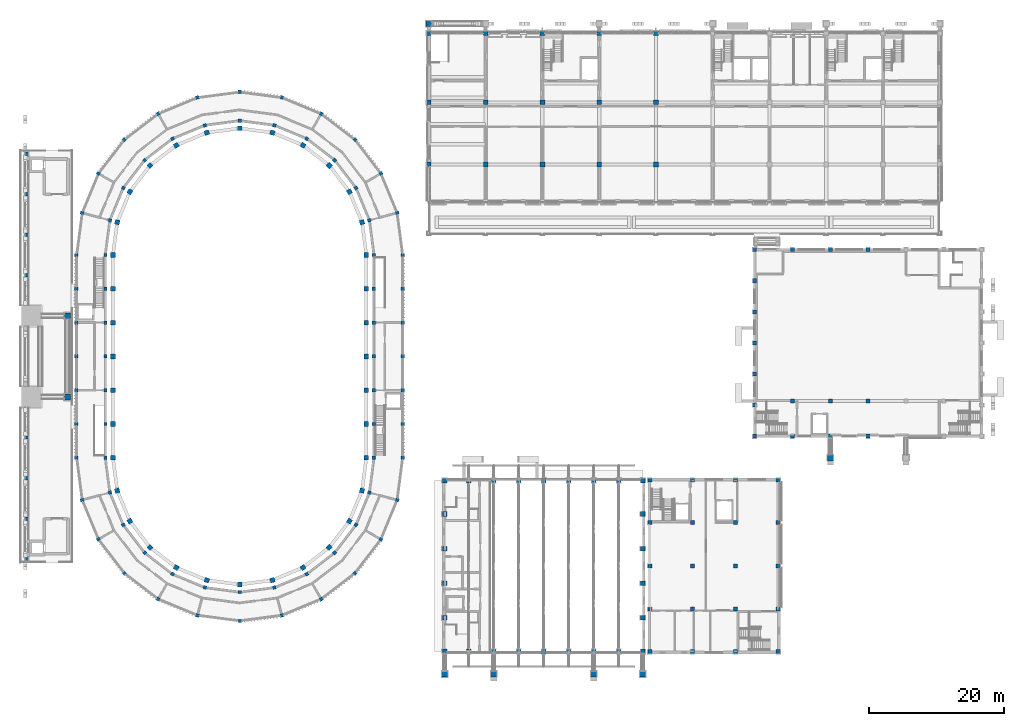
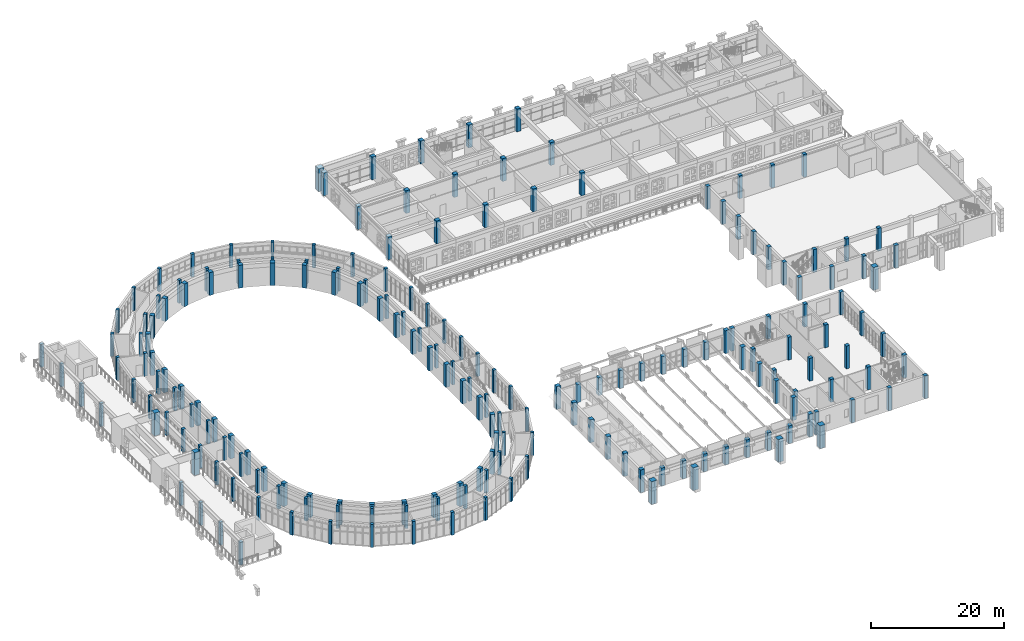
# One storey, part 1 of 99: 201 columns.
"""IFC4 building model written with IfcOpenShell, lengths in metres."""

from ifc_helpers import new_model, si_unit, direction, frame, origin, origin_2d, place, context, subcontext, project, spatial, rectangle, extrude, material, material_profile, profile_set, type_object, element, save


model = new_model("IFC4")

# Units and contexts
model_context = context("Model", 3, precision=1e-05, world=origin(), true_north=direction((0.0, 1.0)))
body_context = subcontext(model_context, "Body", "Model", "MODEL_VIEW")
ifc_project = project(units=[si_unit("LENGTHUNIT", "METRE"), si_unit("AREAUNIT", "SQUARE_METRE"), si_unit("VOLUMEUNIT", "CUBIC_METRE"), si_unit("PLANEANGLEUNIT", "RADIAN"), si_unit("MASSUNIT", "GRAM", prefix="KILO")], contexts=[model_context])

# Site, building, storey
site_placement = place(None, origin())
site = spatial("IfcSite", under=ifc_project, at=site_placement, CompositionType="ELEMENT")
building_placement = place(site_placement, origin())
building = spatial("IfcBuilding", under=site, at=building_placement, Name="Wasatch Bagh Community Centre", CompositionType="ELEMENT")
storey_placement = place(building_placement, frame((0.0, 0.0, 4.199951171875)))
storey = spatial("IfcBuildingStorey", under=building, at=storey_placement, Name="L01", CompositionType="ELEMENT", Elevation=4.199951171875)

# Columns
ifc_material = material(Name="Concrete C40", Category="concrete")
ifc_material_profile_1 = material_profile(ifc_material, rectangle(XDim=0.89990234375, YDim=0.89990234375, at=origin_2d()), Name="RC 900x900")
ifc_profile_set_1 = profile_set([ifc_material_profile_1], Name="Concrete C40")
column_type_1 = type_object("IfcColumnType", Name="CL-P1", PredefinedType="COLUMN", material=ifc_profile_set_1)
for number, where, z_axis, x_axis, name in (
    (1, (123.39990234375, 35.0, 0.0), (0.0, 0.0, 1.0), (1.0, 0.0, 0.0), "CL-P1 pier SHP1"),
    (2, (66.35009765625, 3.0, 0.0), (0.0, 0.0, 1.0), (1.0, 0.0, 0.0), "CL-P1 pier DHP1"),
    (3, (73.60009765625, 3.0, 0.0), (0.0, 0.0, 1.0), (1.0, 0.0, 0.0), "CL-P1 pier DHP2"),
    (4, (88.39990234375, 3.0, 0.0), (0.0, 0.0, 1.0), (1.0, 0.0, 0.0), "CL-P1 pier DHP3"),
    (5, (95.64990234375, 3.0, 0.0), (0.0, 0.0, 1.0), (1.0, 0.0, 0.0), "CL-P1 pier DHP4"),
    (6, (64.0, 99.25, 0.0), (0.0, 0.0, 1.0), (1.0, 0.0, 0.0), "CL-P1 pier LWP01"),
):
    element("IfcColumn", number, at=place(storey_placement, frame(where, z_axis=z_axis, x_axis=x_axis)), inside=storey, type_object=column_type_1, Name=name, PredefinedType="COLUMN", context=body_context, shape_type="SweptSolid", body=[
        extrude(rectangle(XDim=0.89990234375, YDim=0.89990234375, at=origin_2d()), origin(), (0.0, 0.0, 1.0), 4.199951171875),
    ])
ifc_material_profile_2 = material_profile(ifc_material, rectangle(XDim=0.89990234375, YDim=0.89990234375, at=origin_2d()), Name="RC 900x900")
ifc_profile_set_2 = profile_set([ifc_material_profile_2], Name="Concrete C40")
column_type_2 = type_object("IfcColumnType", Name="CP-C1", PredefinedType="COLUMN", material=ifc_profile_set_2)
for number, where, z_axis, x_axis, name in (
    (7, (10.5, 44.0, 0.0), (0.0, 0.0, 1.0), (1.0, 0.0, 0.0), "CP-C1 rear post 1"),
    (8, (10.5, 56.0, 0.0), (0.0, 0.0, 1.0), (1.0, 0.0, 0.0), "CP-C1 rear post 2"),
):
    element("IfcColumn", number, at=place(storey_placement, frame(where, z_axis=z_axis, x_axis=x_axis)), inside=storey, type_object=column_type_2, Name=name, PredefinedType="COLUMN", context=body_context, shape_type="SweptSolid", body=[
        extrude(rectangle(XDim=0.89990234375, YDim=0.89990234375, at=origin_2d()), origin(), (0.0, 0.0, 1.0), 4.199951171875),
    ])
ifc_material_profile_3 = material_profile(ifc_material, rectangle(XDim=0.5, YDim=0.5, at=origin_2d()), Name="RC 500x500")
ifc_profile_set_3 = profile_set([ifc_material_profile_3], Name="Concrete C40")
column_type_3 = type_object("IfcColumnType", Name="CT-C1", PredefinedType="COLUMN", material=ifc_profile_set_3)
for number, where, z_axis, x_axis, name in (
    (9, (4.5, 20.0, 0.0), (0.0, 0.0, 1.0), (1.0, 0.0, 0.0), "CT-C1 terrace column 1"),
    (10, (4.5, 26.0, 0.0), (0.0, 0.0, 1.0), (1.0, 0.0, 0.0), "CT-C1 terrace column 2"),
    (11, (4.5, 32.0, 0.0), (0.0, 0.0, 1.0), (1.0, 0.0, 0.0), "CT-C1 terrace column 3"),
    (12, (4.5, 38.0, 0.0), (0.0, 0.0, 1.0), (1.0, 0.0, 0.0), "CT-C1 terrace column 4"),
    (13, (4.5, 62.0, 0.0), (0.0, 0.0, 1.0), (1.0, 0.0, 0.0), "CT-C1 terrace column 5"),
    (14, (4.5, 68.0, 0.0), (0.0, 0.0, 1.0), (1.0, 0.0, 0.0), "CT-C1 terrace column 6"),
    (15, (4.5, 74.0, 0.0), (0.0, 0.0, 1.0), (1.0, 0.0, 0.0), "CT-C1 terrace column 7"),
    (16, (4.5, 80.0, 0.0), (0.0, 0.0, 1.0), (1.0, 0.0, 0.0), "CT-C1 terrace column 8"),
):
    element("IfcColumn", number, at=place(storey_placement, frame(where, z_axis=z_axis, x_axis=x_axis)), inside=storey, type_object=column_type_3, Name=name, PredefinedType="COLUMN", context=body_context, shape_type="SweptSolid", body=[
        extrude(rectangle(XDim=0.5, YDim=0.5, at=origin_2d()), origin(), (0.0, 0.0, 1.0), 4.199951171875),
    ])
ifc_material_profile_4 = material_profile(ifc_material, rectangle(XDim=0.699951171875, YDim=0.699951171875, at=origin_2d()), Name="RC 700x700")
ifc_profile_set_4 = profile_set([ifc_material_profile_4], Name="Concrete C40")
column_type_4 = type_object("IfcColumnType", Name="DH RC 700x700 column", PredefinedType="COLUMN", material=ifc_profile_set_4)
column_placement = place(storey_placement, frame((66.35009765625, 6.35009765625, 0.0), z_axis=(0.0, 0.0, 1.0), x_axis=(1.0, 0.0, 0.0)))
element("IfcColumn", 17, at=column_placement, inside=storey, type_object=column_type_4, Name="DH.col.L01.01", PredefinedType="COLUMN", context=body_context, shape_type="SweptSolid", body=[
    extrude(rectangle(XDim=0.699951171875, YDim=0.699951171875, at=origin_2d()), origin(), (0.0, 0.0, 1.0), 4.199951171875),
])
for number, where, z_axis, x_axis, name in (
    (18, (69.89990234375, 6.35009765625, 0.0), (0.0, 0.0, 1.0), (1.0, 0.0, 0.0), "DH.col.L01.02"),
    (19, (73.60009765625, 6.35009765625, 0.0), (0.0, 0.0, 1.0), (1.0, 0.0, 0.0), "DH.col.L01.03"),
    (20, (77.300048828125, 6.35009765625, 0.0), (0.0, 0.0, 1.0), (1.0, 0.0, 0.0), "DH.col.L01.04"),
    (21, (81.0, 6.35009765625, 0.0), (0.0, 0.0, 1.0), (1.0, 0.0, 0.0), "DH.col.L01.05"),
    (22, (84.699951171875, 6.35009765625, 0.0), (0.0, 0.0, 1.0), (1.0, 0.0, 0.0), "DH.col.L01.06"),
    (23, (88.39990234375, 6.35009765625, 0.0), (0.0, 0.0, 1.0), (1.0, 0.0, 0.0), "DH.col.L01.07"),
    (24, (92.10009765625, 6.35009765625, 0.0), (0.0, 0.0, 1.0), (1.0, 0.0, 0.0), "DH.col.L01.08"),
):
    element("IfcColumn", number, at=place(storey_placement, frame(where, z_axis=z_axis, x_axis=x_axis)), inside=storey, type_object=column_type_4, Name=name, PredefinedType="COLUMN", context=body_context, shape_type="SweptSolid", body=[
        extrude(rectangle(XDim=0.699951171875, YDim=0.699951171875, at=origin_2d()), origin(), (0.0, 0.0, 1.0), 3.300048828125),
    ])
for number, where, z_axis, x_axis, name in (
    (25, (95.64990234375, 6.35009765625, 0.0), (0.0, 0.0, 1.0), (1.0, 0.0, 0.0), "DH.col.L01.09"),
    (26, (66.35009765625, 31.64990234375, 0.0), (0.0, 0.0, 1.0), (1.0, 0.0, 0.0), "DH.col.L01.10"),
):
    element("IfcColumn", number, at=place(storey_placement, frame(where, z_axis=z_axis, x_axis=x_axis)), inside=storey, type_object=column_type_4, Name=name, PredefinedType="COLUMN", context=body_context, shape_type="SweptSolid", body=[
        extrude(rectangle(XDim=0.699951171875, YDim=0.699951171875, at=origin_2d()), origin(), (0.0, 0.0, 1.0), 4.199951171875),
    ])
for number, where, z_axis, x_axis, name in (
    (27, (69.89990234375, 31.64990234375, 0.0), (0.0, 0.0, 1.0), (1.0, 0.0, 0.0), "DH.col.L01.11"),
    (28, (73.60009765625, 31.64990234375, 0.0), (0.0, 0.0, 1.0), (1.0, 0.0, 0.0), "DH.col.L01.12"),
    (29, (77.300048828125, 31.64990234375, 0.0), (0.0, 0.0, 1.0), (1.0, 0.0, 0.0), "DH.col.L01.13"),
    (30, (81.0, 31.64990234375, 0.0), (0.0, 0.0, 1.0), (1.0, 0.0, 0.0), "DH.col.L01.14"),
    (31, (84.699951171875, 31.64990234375, 0.0), (0.0, 0.0, 1.0), (1.0, 0.0, 0.0), "DH.col.L01.15"),
    (32, (88.39990234375, 31.64990234375, 0.0), (0.0, 0.0, 1.0), (1.0, 0.0, 0.0), "DH.col.L01.16"),
    (33, (92.10009765625, 31.64990234375, 0.0), (0.0, 0.0, 1.0), (1.0, 0.0, 0.0), "DH.col.L01.17"),
):
    element("IfcColumn", number, at=place(storey_placement, frame(where, z_axis=z_axis, x_axis=x_axis)), inside=storey, type_object=column_type_4, Name=name, PredefinedType="COLUMN", context=body_context, shape_type="SweptSolid", body=[
        extrude(rectangle(XDim=0.699951171875, YDim=0.699951171875, at=origin_2d()), origin(), (0.0, 0.0, 1.0), 3.300048828125),
    ])
for number, where, z_axis, x_axis, name in (
    (34, (95.64990234375, 31.64990234375, 0.0), (0.0, 0.0, 1.0), (1.0, 0.0, 0.0), "DH.col.L01.18"),
    (35, (66.35009765625, 11.320068359375, 0.0), (0.0, 0.0, 1.0), (1.0, 0.0, 0.0), "DH.col.L01.19"),
    (36, (66.35009765625, 16.43994140625, 0.0), (0.0, 0.0, 1.0), (1.0, 0.0, 0.0), "DH.col.L01.20"),
    (37, (66.35009765625, 21.56005859375, 0.0), (0.0, 0.0, 1.0), (1.0, 0.0, 0.0), "DH.col.L01.21"),
    (38, (66.35009765625, 26.679931640625, 0.0), (0.0, 0.0, 1.0), (1.0, 0.0, 0.0), "DH.col.L01.22"),
    (39, (95.64990234375, 11.320068359375, 0.0), (0.0, 0.0, 1.0), (1.0, 0.0, 0.0), "DH.col.L01.23"),
    (40, (95.64990234375, 16.43994140625, 0.0), (0.0, 0.0, 1.0), (1.0, 0.0, 0.0), "DH.col.L01.24"),
    (41, (95.64990234375, 21.56005859375, 0.0), (0.0, 0.0, 1.0), (1.0, 0.0, 0.0), "DH.col.L01.25"),
    (42, (95.64990234375, 26.679931640625, 0.0), (0.0, 0.0, 1.0), (1.0, 0.0, 0.0), "DH.col.L01.26"),
):
    element("IfcColumn", number, at=place(storey_placement, frame(where, z_axis=z_axis, x_axis=x_axis)), inside=storey, type_object=column_type_4, Name=name, PredefinedType="COLUMN", context=body_context, shape_type="SweptSolid", body=[
        extrude(rectangle(XDim=0.699951171875, YDim=0.699951171875, at=origin_2d()), origin(), (0.0, 0.0, 1.0), 4.199951171875),
    ])
ifc_material_profile_5 = material_profile(ifc_material, rectangle(XDim=0.5, YDim=0.5, at=origin_2d()), Name="RC 500x500")
ifc_profile_set_5 = profile_set([ifc_material_profile_5], Name="Concrete C40")
column_type_5 = type_object("IfcColumnType", Name="Drum column RC 500x500", PredefinedType="COLUMN", material=ifc_profile_set_5)
for number, where, z_axis, x_axis, name in (
    (43, (16.14990234375, 35.0, 0.0), (0.0, 0.0, 1.0), (1.0, 0.0, 0.0), "Column DI-W1"),
    (44, (16.826416015625, 29.862548828125, 0.0), (0.0, 0.0, 1.0), (0.965925826289, 0.258819045103, 0.0), "Column DI-S1"),
    (45, (18.809326171875, 25.074951171875, 0.0), (0.0, 0.0, 1.0), (0.866025403784, 0.5, 0.0), "Column DI-S2"),
    (46, (21.9638671875, 20.9638671875, 0.0), (0.0, 0.0, 1.0), (0.707106781187, 0.707106781187, 0.0), "Column DI-S3"),
    (47, (26.074951171875, 17.809326171875, 0.0), (0.0, 0.0, 1.0), (0.5, 0.866025403784, 0.0), "Column DI-S4"),
    (48, (30.862548828125, 15.826416015625, 0.0), (0.0, 0.0, 1.0), (0.258819045103, 0.965925826289, 0.0), "Column DI-S5"),
    (49, (36.0, 15.14990234375, 0.0), (0.0, 0.0, 1.0), (1.0, 0.0, 0.0), "Column DI-S6"),
    (50, (41.137451171875, 15.826416015625, 0.0), (0.0, 0.0, 1.0), (0.965925826289, 0.258819045103, 0.0), "Column DI-S7"),
    (51, (45.925048828125, 17.809326171875, 0.0), (0.0, 0.0, 1.0), (0.866025403784, 0.5, 0.0), "Column DI-S8"),
    (52, (50.0361328125, 20.9638671875, 0.0), (0.0, 0.0, 1.0), (0.707106781187, 0.707106781187, 0.0), "Column DI-S9"),
    (53, (53.190673828125, 25.074951171875, 0.0), (0.0, 0.0, 1.0), (0.5, 0.866025403784, 0.0), "Column DI-S10"),
    (54, (55.173583984375, 29.862548828125, 0.0), (0.0, 0.0, 1.0), (0.258819045103, 0.965925826289, 0.0), "Column DI-S11"),
    (55, (55.85009765625, 35.0, 0.0), (0.0, 0.0, 1.0), (1.0, 0.0, 0.0), "Column DI-E1"),
    (56, (55.85009765625, 40.0, 0.0), (0.0, 0.0, 1.0), (1.0, 0.0, 0.0), "Column DI-E2"),
    (57, (55.85009765625, 45.0, 0.0), (0.0, 0.0, 1.0), (1.0, 0.0, 0.0), "Column DI-E3"),
    (58, (55.85009765625, 50.0, 0.0), (0.0, 0.0, 1.0), (1.0, 0.0, 0.0), "Column DI-E4"),
    (59, (55.85009765625, 55.0, 0.0), (0.0, 0.0, 1.0), (1.0, 0.0, 0.0), "Column DI-E5"),
    (60, (55.85009765625, 60.0, 0.0), (0.0, 0.0, 1.0), (1.0, 0.0, 0.0), "Column DI-E6"),
    (61, (55.85009765625, 65.0, 0.0), (0.0, 0.0, 1.0), (1.0, 0.0, 0.0), "Column DI-E7"),
    (62, (55.173583984375, 70.137451171875, 0.0), (0.0, 0.0, 1.0), (0.965925826289, 0.258819045103, 0.0), "Column DI-N1"),
    (63, (53.190673828125, 74.925048828125, 0.0), (0.0, 0.0, 1.0), (0.866025403784, 0.5, 0.0), "Column DI-N2"),
    (64, (50.0361328125, 79.0361328125, 0.0), (0.0, 0.0, 1.0), (0.707106781187, 0.707106781187, 0.0), "Column DI-N3"),
    (65, (45.925048828125, 82.190673828125, 0.0), (0.0, 0.0, 1.0), (0.5, 0.866025403784, 0.0), "Column DI-N4"),
    (66, (41.137451171875, 84.173583984375, 0.0), (0.0, 0.0, 1.0), (0.258819045103, 0.965925826289, 0.0), "Column DI-N5"),
    (67, (36.0, 84.85009765625, 0.0), (0.0, 0.0, 1.0), (1.0, 0.0, 0.0), "Column DI-N6"),
    (68, (30.862548828125, 84.173583984375, 0.0), (0.0, 0.0, 1.0), (0.965925826289, 0.258819045103, 0.0), "Column DI-N7"),
    (69, (26.074951171875, 82.190673828125, 0.0), (0.0, 0.0, 1.0), (0.866025403784, 0.5, 0.0), "Column DI-N8"),
    (70, (21.9638671875, 79.0361328125, 0.0), (0.0, 0.0, 1.0), (0.707106781187, 0.707106781187, 0.0), "Column DI-N9"),
    (71, (18.809326171875, 74.925048828125, 0.0), (0.0, 0.0, 1.0), (0.5, 0.866025403784, 0.0), "Column DI-N10"),
    (72, (16.826416015625, 70.137451171875, 0.0), (0.0, 0.0, 1.0), (0.258819045103, 0.965925826289, 0.0), "Column DI-N11"),
    (73, (16.14990234375, 65.0, 0.0), (0.0, 0.0, 1.0), (1.0, 0.0, 0.0), "Column DI-W7"),
    (74, (16.14990234375, 60.0, 0.0), (0.0, 0.0, 1.0), (1.0, 0.0, 0.0), "Column DI-W6"),
    (75, (16.14990234375, 55.0, 0.0), (0.0, 0.0, 1.0), (1.0, 0.0, 0.0), "Column DI-W5"),
    (76, (16.14990234375, 50.0, 0.0), (0.0, 0.0, 1.0), (1.0, 0.0, 0.0), "Column DI-W4"),
    (77, (16.14990234375, 45.0, 0.0), (0.0, 0.0, 1.0), (1.0, 0.0, 0.0), "Column DI-W3"),
    (78, (16.14990234375, 40.0, 0.0), (0.0, 0.0, 1.0), (1.0, 0.0, 0.0), "Column DI-W2"),
    (79, (11.85009765625, 35.0, 0.0), (0.0, 0.0, 1.0), (1.0, 0.0, 0.0), "Column DO-W1"),
    (80, (12.6728515625, 28.74951171875, 0.0), (0.0, 0.0, 1.0), (0.965925826289, 0.258819045103, 0.0), "Column DO-S1"),
    (81, (15.08544921875, 22.925048828125, 0.0), (0.0, 0.0, 1.0), (0.866025403784, 0.5, 0.0), "Column DO-S2"),
    (82, (18.92333984375, 17.92333984375, 0.0), (0.0, 0.0, 1.0), (0.707106781187, 0.707106781187, 0.0), "Column DO-S3"),
    (83, (23.925048828125, 14.08544921875, 0.0), (0.0, 0.0, 1.0), (0.5, 0.866025403784, 0.0), "Column DO-S4"),
    (84, (29.74951171875, 11.6728515625, 0.0), (0.0, 0.0, 1.0), (0.258819045103, 0.965925826289, 0.0), "Column DO-S5"),
    (85, (36.0, 10.85009765625, 0.0), (0.0, 0.0, 1.0), (1.0, 0.0, 0.0), "Column DO-S6"),
    (86, (42.25048828125, 11.6728515625, 0.0), (0.0, 0.0, 1.0), (0.965925826289, 0.258819045103, 0.0), "Column DO-S7"),
    (87, (48.074951171875, 14.08544921875, 0.0), (0.0, 0.0, 1.0), (0.866025403784, 0.5, 0.0), "Column DO-S8"),
    (88, (53.07666015625, 17.92333984375, 0.0), (0.0, 0.0, 1.0), (0.707106781187, 0.707106781187, 0.0), "Column DO-S9"),
    (89, (56.91455078125, 22.925048828125, 0.0), (0.0, 0.0, 1.0), (0.5, 0.866025403784, 0.0), "Column DO-S10"),
    (90, (59.3271484375, 28.74951171875, 0.0), (0.0, 0.0, 1.0), (0.258819045103, 0.965925826289, 0.0), "Column DO-S11"),
    (91, (60.14990234375, 35.0, 0.0), (0.0, 0.0, 1.0), (1.0, 0.0, 0.0), "Column DO-E1"),
    (92, (60.14990234375, 40.0, 0.0), (0.0, 0.0, 1.0), (1.0, 0.0, 0.0), "Column DO-E2"),
    (93, (60.14990234375, 45.0, 0.0), (0.0, 0.0, 1.0), (1.0, 0.0, 0.0), "Column DO-E3"),
    (94, (60.14990234375, 50.0, 0.0), (0.0, 0.0, 1.0), (1.0, 0.0, 0.0), "Column DO-E4"),
    (95, (60.14990234375, 55.0, 0.0), (0.0, 0.0, 1.0), (1.0, 0.0, 0.0), "Column DO-E5"),
    (96, (60.14990234375, 60.0, 0.0), (0.0, 0.0, 1.0), (1.0, 0.0, 0.0), "Column DO-E6"),
    (97, (60.14990234375, 65.0, 0.0), (0.0, 0.0, 1.0), (1.0, 0.0, 0.0), "Column DO-E7"),
    (98, (59.3271484375, 71.25048828125, 0.0), (0.0, 0.0, 1.0), (0.965925826289, 0.258819045103, 0.0), "Column DO-N1"),
    (99, (56.91455078125, 77.074951171875, 0.0), (0.0, 0.0, 1.0), (0.866025403784, 0.5, 0.0), "Column DO-N2"),
    (100, (53.07666015625, 82.07666015625, 0.0), (0.0, 0.0, 1.0), (0.707106781187, 0.707106781187, 0.0), "Column DO-N3"),
    (101, (48.074951171875, 85.91455078125, 0.0), (0.0, 0.0, 1.0), (0.5, 0.866025403784, 0.0), "Column DO-N4"),
    (102, (42.25048828125, 88.3271484375, 0.0), (0.0, 0.0, 1.0), (0.258819045103, 0.965925826289, 0.0), "Column DO-N5"),
    (103, (36.0, 89.14990234375, 0.0), (0.0, 0.0, 1.0), (1.0, 0.0, 0.0), "Column DO-N6"),
    (104, (29.74951171875, 88.3271484375, 0.0), (0.0, 0.0, 1.0), (0.965925826289, 0.258819045103, 0.0), "Column DO-N7"),
    (105, (23.925048828125, 85.91455078125, 0.0), (0.0, 0.0, 1.0), (0.866025403784, 0.5, 0.0), "Column DO-N8"),
    (106, (18.92333984375, 82.07666015625, 0.0), (0.0, 0.0, 1.0), (0.707106781187, 0.707106781187, 0.0), "Column DO-N9"),
    (107, (15.08544921875, 77.074951171875, 0.0), (0.0, 0.0, 1.0), (0.5, 0.866025403784, 0.0), "Column DO-N10"),
    (108, (12.6728515625, 71.25048828125, 0.0), (0.0, 0.0, 1.0), (0.258819045103, 0.965925826289, 0.0), "Column DO-N11"),
    (109, (11.85009765625, 65.0, 0.0), (0.0, 0.0, 1.0), (1.0, 0.0, 0.0), "Column DO-W7"),
    (110, (11.85009765625, 60.0, 0.0), (0.0, 0.0, 1.0), (1.0, 0.0, 0.0), "Column DO-W6"),
    (111, (11.85009765625, 55.0, 0.0), (0.0, 0.0, 1.0), (1.0, 0.0, 0.0), "Column DO-W5"),
    (112, (11.85009765625, 50.0, 0.0), (0.0, 0.0, 1.0), (1.0, 0.0, 0.0), "Column DO-W4"),
    (113, (11.85009765625, 45.0, 0.0), (0.0, 0.0, 1.0), (1.0, 0.0, 0.0), "Column DO-W3"),
    (114, (11.85009765625, 40.0, 0.0), (0.0, 0.0, 1.0), (1.0, 0.0, 0.0), "Column DO-W2"),
):
    element("IfcColumn", number, at=place(storey_placement, frame(where, z_axis=z_axis, x_axis=x_axis)), inside=storey, type_object=column_type_5, Name=name, PredefinedType="COLUMN", context=body_context, shape_type="SweptSolid", body=[
        extrude(rectangle(XDim=0.5, YDim=0.5, at=origin_2d()), origin(), (0.0, 0.0, 1.0), 4.199951171875),
    ])
ifc_material_profile_6 = material_profile(ifc_material, rectangle(XDim=0.60009765625, YDim=0.60009765625, at=origin_2d()), Name="RC 600x600")
ifc_profile_set_6 = profile_set([ifc_material_profile_6], Name="Concrete C40")
column_type_6 = type_object("IfcColumnType", Name="KW RC 600x600 column", PredefinedType="COLUMN", material=ifc_profile_set_6)
for number, where, z_axis, x_axis, name in (
    (115, (96.699951171875, 6.300048828125, 0.0), (0.0, 0.0, 1.0), (1.0, 0.0, 0.0), "KW.col.L01.01"),
    (116, (96.699951171875, 12.60009765625, 0.0), (0.0, 0.0, 1.0), (1.0, 0.0, 0.0), "KW.col.L01.02"),
    (117, (96.699951171875, 19.0, 0.0), (0.0, 0.0, 1.0), (1.0, 0.0, 0.0), "KW.col.L01.03"),
    (118, (96.699951171875, 25.39990234375, 0.0), (0.0, 0.0, 1.0), (1.0, 0.0, 0.0), "KW.col.L01.04"),
    (119, (96.699951171875, 31.699951171875, 0.0), (0.0, 0.0, 1.0), (1.0, 0.0, 0.0), "KW.col.L01.05"),
    (120, (103.0, 6.300048828125, 0.0), (0.0, 0.0, 1.0), (1.0, 0.0, 0.0), "KW.col.L01.06"),
    (121, (103.0, 12.60009765625, 0.0), (0.0, 0.0, 1.0), (1.0, 0.0, 0.0), "KW.col.L01.07"),
    (122, (103.0, 19.0, 0.0), (0.0, 0.0, 1.0), (1.0, 0.0, 0.0), "KW.col.L01.08"),
    (123, (103.0, 25.39990234375, 0.0), (0.0, 0.0, 1.0), (1.0, 0.0, 0.0), "KW.col.L01.09"),
    (124, (103.0, 31.699951171875, 0.0), (0.0, 0.0, 1.0), (1.0, 0.0, 0.0), "KW.col.L01.10"),
    (125, (109.39990234375, 6.300048828125, 0.0), (0.0, 0.0, 1.0), (1.0, 0.0, 0.0), "KW.col.L01.11"),
    (126, (109.39990234375, 12.60009765625, 0.0), (0.0, 0.0, 1.0), (1.0, 0.0, 0.0), "KW.col.L01.12"),
    (127, (109.39990234375, 19.0, 0.0), (0.0, 0.0, 1.0), (1.0, 0.0, 0.0), "KW.col.L01.13"),
    (128, (109.39990234375, 25.39990234375, 0.0), (0.0, 0.0, 1.0), (1.0, 0.0, 0.0), "KW.col.L01.14"),
    (129, (109.39990234375, 31.699951171875, 0.0), (0.0, 0.0, 1.0), (1.0, 0.0, 0.0), "KW.col.L01.15"),
    (130, (115.699951171875, 6.300048828125, 0.0), (0.0, 0.0, 1.0), (1.0, 0.0, 0.0), "KW.col.L01.16"),
    (131, (115.699951171875, 12.60009765625, 0.0), (0.0, 0.0, 1.0), (1.0, 0.0, 0.0), "KW.col.L01.17"),
    (132, (115.699951171875, 19.0, 0.0), (0.0, 0.0, 1.0), (1.0, 0.0, 0.0), "KW.col.L01.18"),
    (133, (115.699951171875, 25.39990234375, 0.0), (0.0, 0.0, 1.0), (1.0, 0.0, 0.0), "KW.col.L01.19"),
    (134, (115.699951171875, 31.699951171875, 0.0), (0.0, 0.0, 1.0), (1.0, 0.0, 0.0), "KW.col.L01.20"),
):
    element("IfcColumn", number, at=place(storey_placement, frame(where, z_axis=z_axis, x_axis=x_axis)), inside=storey, type_object=column_type_6, Name=name, PredefinedType="COLUMN", context=body_context, shape_type="SweptSolid", body=[
        extrude(rectangle(XDim=0.60009765625, YDim=0.60009765625, at=origin_2d()), origin(), (0.0, 0.0, 1.0), 4.199951171875),
    ])
ifc_material_profile_7 = material_profile(ifc_material, rectangle(XDim=0.699951171875, YDim=0.699951171875, at=origin_2d()), Name="RC 700x700")
ifc_profile_set_7 = profile_set([ifc_material_profile_7], Name="Concrete C40")
column_type_7 = type_object("IfcColumnType", Name="LW RC 700x700", PredefinedType="COLUMN", material=ifc_profile_set_7)
for number, where, z_axis, x_axis, name in (
    (135, (64.0, 87.60009765625, 0.0), (0.0, 0.0, 1.0), (1.0, 0.0, 0.0), "W1M"),
    (136, (72.39990234375, 87.60009765625, 0.0), (0.0, 0.0, 1.0), (1.0, 0.0, 0.0), "W2M"),
    (137, (80.800048828125, 87.60009765625, 0.0), (0.0, 0.0, 1.0), (1.0, 0.0, 0.0), "W3M"),
    (138, (89.199951171875, 87.60009765625, 0.0), (0.0, 0.0, 1.0), (1.0, 0.0, 0.0), "W4M"),
    (139, (97.60009765625, 87.60009765625, 0.0), (0.0, 0.0, 1.0), (1.0, 0.0, 0.0), "W5M"),
    (140, (64.0, 97.800048828125, 0.0), (0.0, 0.0, 1.0), (1.0, 0.0, 0.0), "W1N"),
    (141, (72.39990234375, 97.800048828125, 0.0), (0.0, 0.0, 1.0), (1.0, 0.0, 0.0), "W2N"),
    (142, (80.800048828125, 97.800048828125, 0.0), (0.0, 0.0, 1.0), (1.0, 0.0, 0.0), "W3N"),
    (143, (89.199951171875, 97.800048828125, 0.0), (0.0, 0.0, 1.0), (1.0, 0.0, 0.0), "W4N"),
    (144, (97.60009765625, 97.800048828125, 0.0), (0.0, 0.0, 1.0), (1.0, 0.0, 0.0), "W5N"),
    (145, (64.0, 78.39990234375, 0.0), (0.0, 0.0, 1.0), (1.0, 0.0, 0.0), "W1S"),
    (146, (72.39990234375, 78.39990234375, 0.0), (0.0, 0.0, 1.0), (1.0, 0.0, 0.0), "W2S"),
    (147, (80.800048828125, 78.39990234375, 0.0), (0.0, 0.0, 1.0), (1.0, 0.0, 0.0), "W3S"),
    (148, (89.199951171875, 78.39990234375, 0.0), (0.0, 0.0, 1.0), (1.0, 0.0, 0.0), "W4S"),
    (149, (97.60009765625, 78.39990234375, 0.0), (0.0, 0.0, 1.0), (1.0, 0.0, 0.0), "W5S"),
):
    element("IfcColumn", number, at=place(storey_placement, frame(where, z_axis=z_axis, x_axis=x_axis)), inside=storey, type_object=column_type_7, Name=name, PredefinedType="COLUMN", context=body_context, shape_type="SweptSolid", body=[
        extrude(rectangle(XDim=0.699951171875, YDim=0.699951171875, at=origin_2d()), origin(), (0.0, 0.0, 1.0), 4.199951171875),
    ])
ifc_material_profile_8 = material_profile(ifc_material, rectangle(XDim=0.699951171875, YDim=0.699951171875, at=origin_2d()), Name="RC 700x700")
ifc_profile_set_8 = profile_set([ifc_material_profile_8], Name="Concrete C40")
column_type_8 = type_object("IfcColumnType", Name="MH column RC 700x700", PredefinedType="COLUMN", material=ifc_profile_set_8)
for number, where, z_axis, x_axis, name in (
    (150, (17.25, 35.0, 0.0), (0.0, 0.0, 1.0), (1.0, 0.0, 0.0), "Column W1"),
    (151, (17.25, 40.0, 0.0), (0.0, 0.0, 1.0), (1.0, 0.0, 0.0), "Column W2"),
    (152, (17.25, 45.0, 0.0), (0.0, 0.0, 1.0), (1.0, 0.0, 0.0), "Column W3"),
    (153, (17.25, 50.0, 0.0), (0.0, 0.0, 1.0), (1.0, 0.0, 0.0), "Column W4"),
    (154, (17.25, 55.0, 0.0), (0.0, 0.0, 1.0), (1.0, 0.0, 0.0), "Column W5"),
    (155, (17.25, 60.0, 0.0), (0.0, 0.0, 1.0), (1.0, 0.0, 0.0), "Column W6"),
    (156, (17.25, 65.0, 0.0), (0.0, 0.0, 1.0), (1.0, 0.0, 0.0), "Column W7"),
    (157, (54.75, 35.0, 0.0), (0.0, 0.0, 1.0), (1.0, 0.0, 0.0), "Column E1"),
    (158, (54.75, 40.0, 0.0), (0.0, 0.0, 1.0), (1.0, 0.0, 0.0), "Column E2"),
    (159, (54.75, 45.0, 0.0), (0.0, 0.0, 1.0), (1.0, 0.0, 0.0), "Column E3"),
    (160, (54.75, 50.0, 0.0), (0.0, 0.0, 1.0), (1.0, 0.0, 0.0), "Column E4"),
    (161, (54.75, 55.0, 0.0), (0.0, 0.0, 1.0), (1.0, 0.0, 0.0), "Column E5"),
    (162, (54.75, 60.0, 0.0), (0.0, 0.0, 1.0), (1.0, 0.0, 0.0), "Column E6"),
    (163, (54.75, 65.0, 0.0), (0.0, 0.0, 1.0), (1.0, 0.0, 0.0), "Column E7"),
    (164, (17.888916015625, 30.147216796875, 0.0), (0.0, 0.0, 1.0), (0.965925826289, 0.258819045103, 0.0), "Column S1"),
    (165, (19.761962890625, 25.625, 0.0), (0.0, 0.0, 1.0), (0.866025403784, 0.5, 0.0), "Column S2"),
    (166, (22.74169921875, 21.74169921875, 0.0), (0.0, 0.0, 1.0), (0.707106781187, 0.707106781187, 0.0), "Column S3"),
    (167, (26.625, 18.761962890625, 0.0), (0.0, 0.0, 1.0), (0.5, 0.866025403784, 0.0), "Column S4"),
    (168, (31.147216796875, 16.888916015625, 0.0), (0.0, 0.0, 1.0), (0.258819045103, 0.965925826289, 0.0), "Column S5"),
    (169, (36.0, 16.25, 0.0), (0.0, 0.0, 1.0), (1.0, 0.0, 0.0), "Column S6"),
    (170, (40.852783203125, 16.888916015625, 0.0), (0.0, 0.0, 1.0), (0.965925826289, 0.258819045103, 0.0), "Column S7"),
    (171, (45.375, 18.761962890625, 0.0), (0.0, 0.0, 1.0), (0.866025403784, 0.5, 0.0), "Column S8"),
    (172, (49.25830078125, 21.74169921875, 0.0), (0.0, 0.0, 1.0), (0.707106781187, 0.707106781187, 0.0), "Column S9"),
    (173, (52.238037109375, 25.625, 0.0), (0.0, 0.0, 1.0), (0.5, 0.866025403784, 0.0), "Column S10"),
    (174, (54.111083984375, 30.147216796875, 0.0), (0.0, 0.0, 1.0), (0.258819045103, 0.965925826289, 0.0), "Column S11"),
    (175, (54.111083984375, 69.852783203125, 0.0), (0.0, 0.0, 1.0), (0.965925826289, 0.258819045103, 0.0), "Column N1"),
    (176, (52.238037109375, 74.375, 0.0), (0.0, 0.0, 1.0), (0.866025403784, 0.5, 0.0), "Column N2"),
    (177, (49.25830078125, 78.25830078125, 0.0), (0.0, 0.0, 1.0), (0.707106781187, 0.707106781187, 0.0), "Column N3"),
    (178, (45.375, 81.238037109375, 0.0), (0.0, 0.0, 1.0), (0.5, 0.866025403784, 0.0), "Column N4"),
    (179, (40.852783203125, 83.111083984375, 0.0), (0.0, 0.0, 1.0), (0.258819045103, 0.965925826289, 0.0), "Column N5"),
    (180, (36.0, 83.75, 0.0), (0.0, 0.0, 1.0), (1.0, 0.0, 0.0), "Column N6"),
    (181, (31.147216796875, 83.111083984375, 0.0), (0.0, 0.0, 1.0), (0.965925826289, 0.258819045103, 0.0), "Column N7"),
    (182, (26.625, 81.238037109375, 0.0), (0.0, 0.0, 1.0), (0.866025403784, 0.5, 0.0), "Column N8"),
    (183, (22.74169921875, 78.25830078125, 0.0), (0.0, 0.0, 1.0), (0.707106781187, 0.707106781187, 0.0), "Column N9"),
    (184, (19.761962890625, 74.375, 0.0), (0.0, 0.0, 1.0), (0.5, 0.866025403784, 0.0), "Column N10"),
    (185, (17.888916015625, 69.852783203125, 0.0), (0.0, 0.0, 1.0), (0.258819045103, 0.965925826289, 0.0), "Column N11"),
):
    element("IfcColumn", number, at=place(storey_placement, frame(where, z_axis=z_axis, x_axis=x_axis)), inside=storey, type_object=column_type_8, Name=name, PredefinedType="COLUMN", context=body_context, shape_type="SweptSolid", body=[
        extrude(rectangle(XDim=0.699951171875, YDim=0.699951171875, at=origin_2d()), origin(), (0.0, 0.0, 1.0), 4.199951171875),
    ])
ifc_material_profile_9 = material_profile(ifc_material, rectangle(XDim=0.60009765625, YDim=0.60009765625, at=origin_2d()), Name="RC 600x600")
ifc_profile_set_9 = profile_set([ifc_material_profile_9], Name="Concrete C40")
column_type_9 = type_object("IfcColumnType", Name="SH RC 600x600 column", PredefinedType="COLUMN", material=ifc_profile_set_9)
for number, where, z_axis, x_axis, name in (
    (186, (112.199951171875, 38.199951171875, 0.0), (0.0, 0.0, 1.0), (1.0, 0.0, 0.0), "SH.col.L01.p01"),
    (187, (117.800048828125, 38.199951171875, 0.0), (0.0, 0.0, 1.0), (1.0, 0.0, 0.0), "SH.col.L01.p02"),
    (188, (123.39990234375, 38.199951171875, 0.0), (0.0, 0.0, 1.0), (1.0, 0.0, 0.0), "SH.col.L01.p03"),
    (189, (129.0, 38.199951171875, 0.0), (0.0, 0.0, 1.0), (1.0, 0.0, 0.0), "SH.col.L01.p04"),
    (190, (112.199951171875, 65.800048828125, 0.0), (0.0, 0.0, 1.0), (1.0, 0.0, 0.0), "SH.col.L01.p08"),
    (191, (117.800048828125, 65.800048828125, 0.0), (0.0, 0.0, 1.0), (1.0, 0.0, 0.0), "SH.col.L01.p09"),
    (192, (123.39990234375, 65.800048828125, 0.0), (0.0, 0.0, 1.0), (1.0, 0.0, 0.0), "SH.col.L01.p10"),
    (193, (129.0, 65.800048828125, 0.0), (0.0, 0.0, 1.0), (1.0, 0.0, 0.0), "SH.col.L01.p11"),
    (194, (112.199951171875, 42.800048828125, 0.0), (0.0, 0.0, 1.0), (1.0, 0.0, 0.0), "SH.col.L01.p15"),
    (195, (112.199951171875, 47.39990234375, 0.0), (0.0, 0.0, 1.0), (1.0, 0.0, 0.0), "SH.col.L01.p16"),
    (196, (112.199951171875, 52.0, 0.0), (0.0, 0.0, 1.0), (1.0, 0.0, 0.0), "SH.col.L01.p17"),
    (197, (112.199951171875, 56.60009765625, 0.0), (0.0, 0.0, 1.0), (1.0, 0.0, 0.0), "SH.col.L01.p18"),
    (198, (112.199951171875, 61.199951171875, 0.0), (0.0, 0.0, 1.0), (1.0, 0.0, 0.0), "SH.col.L01.p19"),
    (199, (117.800048828125, 43.39990234375, 0.0), (0.0, 0.0, 1.0), (1.0, 0.0, 0.0), "SH.col.L01.g01"),
    (200, (123.39990234375, 43.39990234375, 0.0), (0.0, 0.0, 1.0), (1.0, 0.0, 0.0), "SH.col.L01.g02"),
    (201, (129.0, 43.39990234375, 0.0), (0.0, 0.0, 1.0), (1.0, 0.0, 0.0), "SH.col.L01.g03"),
):
    element("IfcColumn", number, at=place(storey_placement, frame(where, z_axis=z_axis, x_axis=x_axis)), inside=storey, type_object=column_type_9, Name=name, PredefinedType="COLUMN", context=body_context, shape_type="SweptSolid", body=[
        extrude(rectangle(XDim=0.60009765625, YDim=0.60009765625, at=origin_2d()), origin(), (0.0, 0.0, 1.0), 4.199951171875),
    ])

save(model, "model.ifc")
